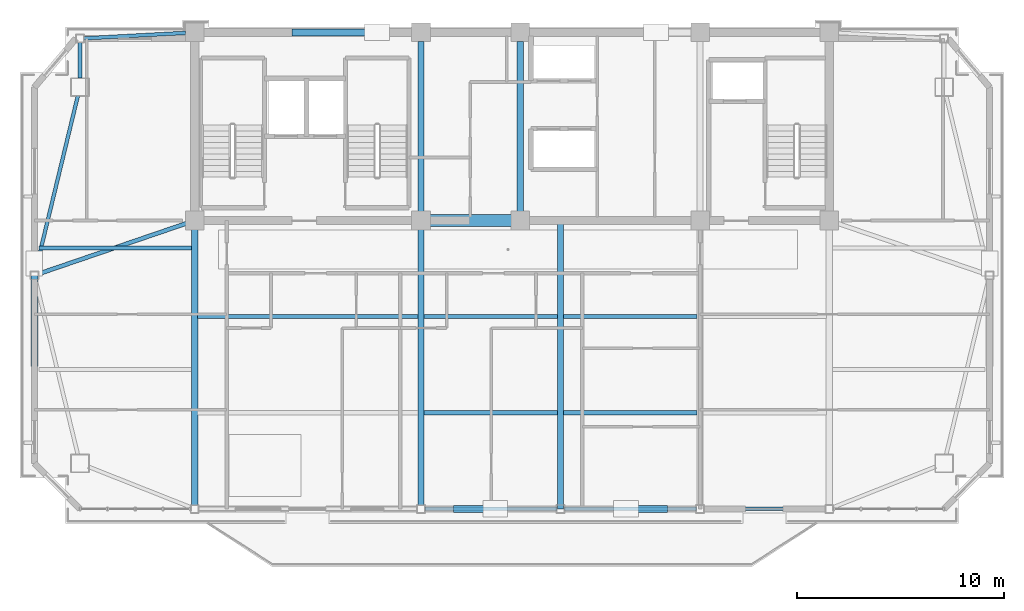
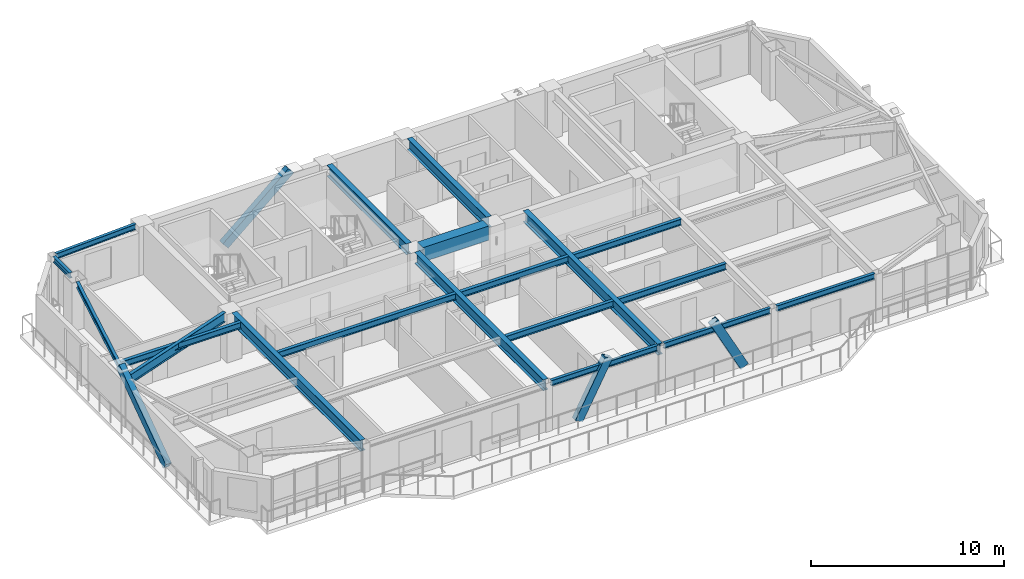
# One storey, part 3 of 13: 19 beams, 4 members.
"""IFC4 building model written with IfcOpenShell, lengths in metres."""

from ifc_helpers import new_model, si_unit, direction, frame, origin, origin_2d, place, context, subcontext, project, spatial, rectangle, hollow_rectangle, i_section, extrude, source, transform, mapped, material, material_profile, profile_set, type_object, element, save


model = new_model("IFC4")

# Units and contexts
model_context = context("Model", 3, precision=1e-05, world=origin(), true_north=direction((0.0, 1.0)))
body_context = subcontext(model_context, "Body", "Model", "MODEL_VIEW")
ifc_project = project(units=[si_unit("LENGTHUNIT", "METRE"), si_unit("AREAUNIT", "SQUARE_METRE"), si_unit("VOLUMEUNIT", "CUBIC_METRE"), si_unit("PLANEANGLEUNIT", "RADIAN"), si_unit("MASSUNIT", "GRAM", prefix="KILO")], contexts=[model_context])

# Site, building, storey
site_placement = place(None, origin())
site = spatial("IfcSite", under=ifc_project, at=site_placement, CompositionType="ELEMENT")
building_placement = place(site_placement, origin())
building = spatial("IfcBuilding", under=site, at=building_placement, Name="Giltprow Tower", CompositionType="ELEMENT")
storey_placement = place(building_placement, frame((0.0, 0.0, 349.300048828125)))
storey = spatial("IfcBuildingStorey", under=building, at=storey_placement, Name="L91", CompositionType="ELEMENT", Elevation=349.300048828125)

# Beams
ifc_material_1 = material(Name="Structural steel Q355B", Category="steel")
ifc_material_profile_1 = material_profile(ifc_material_1, i_section(OverallWidth=0.199951171875, OverallDepth=0.39990234375, WebThickness=0.008056640625, FlangeThickness=0.012939453125, at=origin_2d()), Name="HN 400x200x8x13")
ifc_profile_set_1 = profile_set([ifc_material_profile_1], Name="Structural steel Q355B")
beam_type_1 = type_object("IfcBeamType", Name="BM-JOIST-HN400", PredefinedType="JOIST", material=ifc_profile_set_1)
shared_shape_1 = source(origin(), body_context, "Body", "SweptSolid", [
    extrude(i_section(OverallWidth=0.199951171875, OverallDepth=0.39990234375, WebThickness=0.008056640625, FlangeThickness=0.012939453125, at=origin_2d()), origin(), (0.0, 0.0, 1.0), 10.659912109375),
])
beam_1_placement = place(storey_placement, frame((19.9951171875, 32.800048828125, 2.8798828125), z_axis=(1.0, 0.0, 0.0), x_axis=(0.0, 1.0, 0.0)))
element("IfcBeam", 1, at=beam_1_placement, inside=storey, type_object=beam_type_1, Name="L91 Composite Floor Joist 2-1", PredefinedType="JOIST", context=body_context, shape_type="MappedRepresentation", body=[
    mapped(shared_shape_1, transform((0.0, 0.0, 0.0), x_axis=(1.0, 0.0, 0.0), y_axis=(0.0, 1.0, 0.0), z_axis=(0.0, 0.0, 1.0), scale=1.0)),
])
shared_shape_2 = source(origin(), body_context, "Body", "SweptSolid", [
    extrude(i_section(OverallWidth=0.199951171875, OverallDepth=0.39990234375, WebThickness=0.008056640625, FlangeThickness=0.012939453125, at=origin_2d()), origin(), (0.0, 0.0, 1.0), 6.4599609375),
])
for number, where, z_axis, x_axis, name in (
    (2, (30.945068359375, 28.14990234375, 2.8798828125), (1.0, 0.0, 0.0), (0.0, 1.0, 0.0), "L91 Composite Floor Joist 1-2"),
    (3, (37.695068359375, 28.14990234375, 2.8798828125), (1.0, 0.0, 0.0), (0.0, 1.0, 0.0), "L91 Composite Floor Joist 1-3"),
    (4, (30.945068359375, 32.800048828125, 2.8798828125), (1.0, 0.0, 0.0), (0.0, 1.0, 0.0), "L91 Composite Floor Joist 2-2"),
    (5, (37.695068359375, 32.800048828125, 2.8798828125), (1.0, 0.0, 0.0), (0.0, 1.0, 0.0), "L91 Composite Floor Joist 2-3"),
):
    element("IfcBeam", number, at=place(storey_placement, frame(where, z_axis=z_axis, x_axis=x_axis)), inside=storey, type_object=beam_type_1, Name=name, PredefinedType="JOIST", context=body_context, shape_type="MappedRepresentation", body=[
        mapped(shared_shape_2, transform((0.0, 0.0, 0.0), x_axis=(1.0, 0.0, 0.0), y_axis=(0.0, 1.0, 0.0), z_axis=(0.0, 0.0, 1.0), scale=1.0)),
    ])
ifc_material_2 = material(Name="Concrete C50", Category="concrete")
ifc_material_profile_2 = material_profile(ifc_material_2, rectangle(XDim=0.60009765625, YDim=0.89990234375, at=origin_2d()), Name="RC 900x600")
ifc_profile_set_2 = profile_set([ifc_material_profile_2], Name="Concrete C50")
beam_type_2 = type_object("IfcBeamType", Name="BM-CPL-RC900", PredefinedType="LINTEL", material=ifc_profile_set_2)
shared_shape_3 = source(origin(), body_context, "Body", "SweptSolid", [
    extrude(rectangle(XDim=0.60009765625, YDim=0.89990234375, at=origin_2d()), origin(), (0.0, 0.0, 1.0), 3.929931640625),
])
beam_2_placement = place(storey_placement, frame((31.235107421875, 37.449951171875, 2.6298828125), z_axis=(1.0, 0.0, 0.0), x_axis=(0.0, 1.0, 0.0)))
element("IfcBeam", 6, at=beam_2_placement, inside=storey, type_object=beam_type_2, Name="L91 Core Coupling Beam CB-1", PredefinedType="LINTEL", context=body_context, shape_type="MappedRepresentation", body=[
    mapped(shared_shape_3, transform((0.0, 0.0, 0.0), x_axis=(1.0, 0.0, 0.0), y_axis=(0.0, 1.0, 0.0), z_axis=(0.0, 0.0, 1.0), scale=1.0)),
])
ifc_material_profile_3 = material_profile(ifc_material_1, i_section(OverallWidth=0.300048828125, OverallDepth=0.699951171875, WebThickness=0.012939453125, FlangeThickness=0.02392578125, at=origin_2d()), Name="HN 700x300x13x24")
ifc_profile_set_3 = profile_set([ifc_material_profile_3], Name="Structural steel Q355B")
beam_type_3 = type_object("IfcBeamType", Name="BM-GIRD-HN700", PredefinedType="BEAM", material=ifc_profile_set_3)
shared_shape_4 = source(origin(), body_context, "Body", "SweptSolid", [
    extrude(i_section(OverallWidth=0.300048828125, OverallDepth=0.699951171875, WebThickness=0.012939453125, FlangeThickness=0.02392578125, at=origin_2d()), origin(), (0.0, 0.0, 1.0), 8.22998046875),
])
for number, where, z_axis, x_axis, name in (
    (7, (30.800048828125, 37.885009765625, 2.72998046875), (0.0, 1.0, 0.0), (-1.0, 0.0, 0.0), "L91 Core Tie Girder M1"),
    (8, (35.60009765625, 37.885009765625, 2.72998046875), (0.0, 1.0, 0.0), (-1.0, 0.0, 0.0), "L91 Core Tie Girder M2"),
):
    element("IfcBeam", number, at=place(storey_placement, frame(where, z_axis=z_axis, x_axis=x_axis)), inside=storey, type_object=beam_type_3, Name=name, PredefinedType="BEAM", context=body_context, shape_type="MappedRepresentation", body=[
        mapped(shared_shape_4, transform((0.0, 0.0, 0.0), x_axis=(1.0, 0.0, 0.0), y_axis=(0.0, 1.0, 0.0), z_axis=(0.0, 0.0, 1.0), scale=1.0)),
    ])
ifc_material_profile_4 = material_profile(ifc_material_1, i_section(OverallWidth=0.175048828125, OverallDepth=0.35009765625, WebThickness=0.007080078125, FlangeThickness=0.010986328125, at=origin_2d()), Name="HN 350x175x7x11")
ifc_profile_set_4 = profile_set([ifc_material_profile_4], Name="Structural steel Q355B")
beam_type_4 = type_object("IfcBeamType", Name="BM-SPAN-HN350", PredefinedType="SPANDREL", material=ifc_profile_set_4)
shared_shape_5 = source(origin(), body_context, "Body", "SweptSolid", [
    extrude(i_section(OverallWidth=0.175048828125, OverallDepth=0.35009765625, WebThickness=0.007080078125, FlangeThickness=0.010986328125, at=origin_2d()), origin(), (0.0, 0.0, 1.0), 6.3798828125),
])
for number, where, z_axis, x_axis, name in (
    (9, (30.985107421875, 23.5, 2.905029296875), (1.0, 0.0, 0.0), (0.0, 1.0, 0.0), "L91 Perimeter Spandrel Beam S2-S_MID"),
    (10, (37.735107421875, 23.5, 2.905029296875), (1.0, 0.0, 0.0), (0.0, 1.0, 0.0), "L91 Perimeter Spandrel Beam S_MID-S3"),
):
    element("IfcBeam", number, at=place(storey_placement, frame(where, z_axis=z_axis, x_axis=x_axis)), inside=storey, type_object=beam_type_4, Name=name, PredefinedType="SPANDREL", context=body_context, shape_type="MappedRepresentation", body=[
        mapped(shared_shape_5, transform((0.0, 0.0, 0.0), x_axis=(1.0, 0.0, 0.0), y_axis=(0.0, 1.0, 0.0), z_axis=(0.0, 0.0, 1.0), scale=1.0)),
    ])
shared_shape_6 = source(origin(), body_context, "Body", "SweptSolid", [
    extrude(i_section(OverallWidth=0.175048828125, OverallDepth=0.35009765625, WebThickness=0.007080078125, FlangeThickness=0.010986328125, at=origin_2d()), origin(), (0.0, 0.0, 1.0), 5.8798828125),
])
beam_3_placement = place(storey_placement, frame((44.485107421875, 23.5, 2.905029296875), z_axis=(1.0, 0.0, 0.0), x_axis=(0.0, 1.0, 0.0)))
element("IfcBeam", 11, at=beam_3_placement, inside=storey, type_object=beam_type_4, Name="L91 Perimeter Spandrel Beam S3-S4", PredefinedType="SPANDREL", context=body_context, shape_type="MappedRepresentation", body=[
    mapped(shared_shape_6, transform((0.0, 0.0, 0.0), x_axis=(1.0, 0.0, 0.0), y_axis=(0.0, 1.0, 0.0), z_axis=(0.0, 0.0, 1.0), scale=1.0)),
])
shared_shape_7 = source(origin(), body_context, "Body", "SweptSolid", [
    extrude(i_section(OverallWidth=0.175048828125, OverallDepth=0.35009765625, WebThickness=0.007080078125, FlangeThickness=0.010986328125, at=origin_2d()), origin(), (0.0, 0.0, 1.0), 1.72998046875),
])
beam_4_placement = place(storey_placement, frame((14.300048828125, 46.06494140625, 2.905029296875), z_axis=(0.0, -1.0, 0.0), x_axis=(1.0, 0.0, 0.0)))
element("IfcBeam", 12, at=beam_4_placement, inside=storey, type_object=beam_type_4, Name="L91 Perimeter Spandrel Beam N_W-MC_NW", PredefinedType="SPANDREL", context=body_context, shape_type="MappedRepresentation", body=[
    mapped(shared_shape_7, transform((0.0, 0.0, 0.0), x_axis=(1.0, 0.0, 0.0), y_axis=(0.0, 1.0, 0.0), z_axis=(0.0, 0.0, 1.0), scale=1.0)),
])
shared_shape_8 = source(origin(), body_context, "Body", "SweptSolid", [
    extrude(i_section(OverallWidth=0.175048828125, OverallDepth=0.35009765625, WebThickness=0.007080078125, FlangeThickness=0.010986328125, at=origin_2d()), origin(), (0.0, 0.0, 1.0), 8.741943359375),
])
beam_5_placement = place(storey_placement, frame((14.197998046875, 43.47705078125, 2.905029296875), z_axis=(-0.235063655766, -0.971979978054, 0.0), x_axis=(0.971979978054, -0.235063655766, 0.0)))
element("IfcBeam", 13, at=beam_5_placement, inside=storey, type_object=beam_type_4, Name="L91 Perimeter Spandrel Beam MC_NW-W_MID", PredefinedType="SPANDREL", context=body_context, shape_type="MappedRepresentation", body=[
    mapped(shared_shape_8, transform((0.0, 0.0, 0.0), x_axis=(1.0, 0.0, 0.0), y_axis=(0.0, 1.0, 0.0), z_axis=(0.0, 0.0, 1.0), scale=1.0)),
])
shared_shape_9 = source(origin(), body_context, "Body", "SweptSolid", [
    extrude(i_section(OverallWidth=0.175048828125, OverallDepth=0.35009765625, WebThickness=0.007080078125, FlangeThickness=0.010986328125, at=origin_2d()), origin(), (0.0, 0.0, 1.0), 4.938232421875),
])
beam_6_placement = place(storey_placement, frame((14.485107421875, 46.260009765625, 2.905029296875), z_axis=(0.998536217559, 0.054087172452, 0.0), x_axis=(-0.054087172452, 0.998536217559, 0.0)))
element("IfcBeam", 14, at=beam_6_placement, inside=storey, type_object=beam_type_4, Name="L91 North Wing Spandrel W", PredefinedType="SPANDREL", context=body_context, shape_type="MappedRepresentation", body=[
    mapped(shared_shape_9, transform((0.0, 0.0, 0.0), x_axis=(1.0, 0.0, 0.0), y_axis=(0.0, 1.0, 0.0), z_axis=(0.0, 0.0, 1.0), scale=1.0)),
])
shared_shape_10 = source(origin(), body_context, "Body", "SweptSolid", [
    extrude(i_section(OverallWidth=0.300048828125, OverallDepth=0.699951171875, WebThickness=0.012939453125, FlangeThickness=0.02392578125, at=origin_2d()), origin(), (0.0, 0.0, 1.0), 13.329833984375),
])
for number, where, z_axis, x_axis, name in (
    (15, (19.85009765625, 23.68505859375, 2.72998046875), (0.0, 1.0, 0.0), (-1.0, 0.0, 0.0), "L91 Primary Lease Girder S1"),
    (16, (30.800048828125, 23.68505859375, 2.72998046875), (0.0, 1.0, 0.0), (-1.0, 0.0, 0.0), "L91 Primary Lease Girder S2"),
):
    element("IfcBeam", number, at=place(storey_placement, frame(where, z_axis=z_axis, x_axis=x_axis)), inside=storey, type_object=beam_type_3, Name=name, PredefinedType="BEAM", context=body_context, shape_type="MappedRepresentation", body=[
        mapped(shared_shape_10, transform((0.0, 0.0, 0.0), x_axis=(1.0, 0.0, 0.0), y_axis=(0.0, 1.0, 0.0), z_axis=(0.0, 0.0, 1.0), scale=1.0)),
    ])
shared_shape_11 = source(origin(), body_context, "Body", "SweptSolid", [
    extrude(i_section(OverallWidth=0.300048828125, OverallDepth=0.699951171875, WebThickness=0.012939453125, FlangeThickness=0.02392578125, at=origin_2d()), origin(), (0.0, 0.0, 1.0), 13.949951171875),
])
beam_7_placement = place(storey_placement, frame((37.550048828125, 23.5, 2.72998046875), z_axis=(0.0, 1.0, 0.0), x_axis=(-1.0, 0.0, 0.0)))
element("IfcBeam", 17, at=beam_7_placement, inside=storey, type_object=beam_type_3, Name="L91 Central Lease Girder SMID", PredefinedType="BEAM", context=body_context, shape_type="MappedRepresentation", body=[
    mapped(shared_shape_11, transform((0.0, 0.0, 0.0), x_axis=(1.0, 0.0, 0.0), y_axis=(0.0, 1.0, 0.0), z_axis=(0.0, 0.0, 1.0), scale=1.0)),
])
ifc_material_profile_5 = material_profile(ifc_material_1, i_section(OverallWidth=0.199951171875, OverallDepth=0.60009765625, WebThickness=0.010986328125, FlangeThickness=0.01708984375, at=origin_2d()), Name="HN 600x200x11x17")
ifc_profile_set_5 = profile_set([ifc_material_profile_5], Name="Structural steel Q355B")
beam_type_5 = type_object("IfcBeamType", Name="BM-GIRD-HN600", PredefinedType="BEAM", material=ifc_profile_set_5)
shared_shape_12 = source(origin(), body_context, "Body", "SweptSolid", [
    extrude(i_section(OverallWidth=0.199951171875, OverallDepth=0.60009765625, WebThickness=0.010986328125, FlangeThickness=0.01708984375, at=origin_2d()), origin(), (0.0, 0.0, 1.0), 7.570068359375),
])
beam_8_placement = place(storey_placement, frame((12.27490234375, 34.860107421875, 2.780029296875), z_axis=(0.946226868373, 0.323503807657, 0.0), x_axis=(-0.323503807657, 0.946226868373, 0.0)))
element("IfcBeam", 18, at=beam_8_placement, inside=storey, type_object=beam_type_5, Name="L91 West Wing Primary Girder", PredefinedType="BEAM", context=body_context, shape_type="MappedRepresentation", body=[
    mapped(shared_shape_12, transform((0.0, 0.0, 0.0), x_axis=(1.0, 0.0, 0.0), y_axis=(0.0, 1.0, 0.0), z_axis=(0.0, 0.0, 1.0), scale=1.0)),
])
shared_shape_13 = source(origin(), body_context, "Body", "SweptSolid", [
    extrude(i_section(OverallWidth=0.199951171875, OverallDepth=0.39990234375, WebThickness=0.008056640625, FlangeThickness=0.012939453125, at=origin_2d()), origin(), (0.0, 0.0, 1.0), 7.385009765625),
])
beam_9_placement = place(storey_placement, frame((12.320068359375, 36.125, 2.8798828125), z_axis=(1.0, 0.0, 0.0), x_axis=(0.0, 1.0, 0.0)))
element("IfcBeam", 19, at=beam_9_placement, inside=storey, type_object=beam_type_1, Name="L91 West Wing Floor Joist 2", PredefinedType="JOIST", context=body_context, shape_type="MappedRepresentation", body=[
    mapped(shared_shape_13, transform((0.0, 0.0, 0.0), x_axis=(1.0, 0.0, 0.0), y_axis=(0.0, 1.0, 0.0), z_axis=(0.0, 0.0, 1.0), scale=1.0)),
])

# Members
ifc_material_3 = material(Name="Structural steel Q420GJC", Category="steel")
ifc_material_profile_6 = material_profile(ifc_material_3, hollow_rectangle(XDim=0.35009765625, YDim=0.5, WallThickness=0.02392578125, at=origin_2d()), Name="RHS 500x350x24")
ifc_profile_set_6 = profile_set([ifc_material_profile_6], Name="Structural steel Q420GJC")
member_type = type_object("IfcMemberType", Name="MBR-MEGA-RHS500", PredefinedType="BRACE", material=ifc_profile_set_6)
shared_shape_14 = source(origin(), body_context, "Body", "SweptSolid", [
    extrude(hollow_rectangle(XDim=0.35009765625, YDim=0.5, WallThickness=0.02392578125, at=origin_2d()), origin(), (0.0, 0.0, 1.0), 3.84375),
])
for number, where, z_axis, x_axis, name in (
    (20, (32.593017578125, 23.5, 0.0), (0.466468800612, 0.0, 0.884537652141), (0.0, 1.0, 0.0), "L91 Chevron Mega-Brace S-L"),
    (21, (42.507080078125, 23.5, 0.0), (-0.466468800612, 0.0, 0.884537652141), (0.0, -1.0, 0.0), "L91 Chevron Mega-Brace S-R"),
):
    element("IfcMember", number, at=place(storey_placement, frame(where, z_axis=z_axis, x_axis=x_axis)), inside=storey, type_object=member_type, Name=name, PredefinedType="BRACE", context=body_context, shape_type="MappedRepresentation", body=[
        mapped(shared_shape_14, transform((0.0, 0.0, 0.0), x_axis=(1.0, 0.0, 0.0), y_axis=(0.0, 1.0, 0.0), z_axis=(0.0, 0.0, 1.0), scale=1.0)),
    ])
shared_shape_15 = source(origin(), body_context, "Body", "SweptSolid", [
    extrude(hollow_rectangle(XDim=0.35009765625, YDim=0.5, WallThickness=0.02392578125, at=origin_2d()), origin(), (0.0, 0.0, 1.0), 5.1982421875),
])
member_1_placement = place(storey_placement, frame((24.73095703125, 46.550048828125, -0.14013671875), z_axis=(0.756421576645, 0.0, 0.654084396991), x_axis=(0.0, 1.0, 0.0)))
element("IfcMember", 22, at=member_1_placement, inside=storey, type_object=member_type, Name="L91 Chevron Mega-Brace N-L", PredefinedType="BRACE", context=body_context, shape_type="MappedRepresentation", body=[
    mapped(shared_shape_15, transform((0.0, 0.0, 0.0), x_axis=(1.0, 0.0, 0.0), y_axis=(0.0, 1.0, 0.0), z_axis=(0.0, 0.0, 1.0), scale=1.0)),
])
shared_shape_16 = source(origin(), body_context, "Body", "SweptSolid", [
    extrude(hollow_rectangle(XDim=0.35009765625, YDim=0.5, WallThickness=0.02392578125, at=origin_2d()), origin(), (0.0, 0.0, 1.0), 5.91064453125),
])
member_2_placement = place(storey_placement, frame((12.10009765625, 30.533935546875, 0.0), z_axis=(0.0, 0.818003649856, 0.575213029079), x_axis=(-1.0, 0.0, 0.0)))
element("IfcMember", 23, at=member_2_placement, inside=storey, type_object=member_type, Name="L91 Chevron Mega-Brace W-D", PredefinedType="BRACE", context=body_context, shape_type="MappedRepresentation", body=[
    mapped(shared_shape_16, transform((0.0, 0.0, 0.0), x_axis=(1.0, 0.0, 0.0), y_axis=(0.0, 1.0, 0.0), z_axis=(0.0, 0.0, 1.0), scale=1.0)),
])

save(model, "model.ifc")
